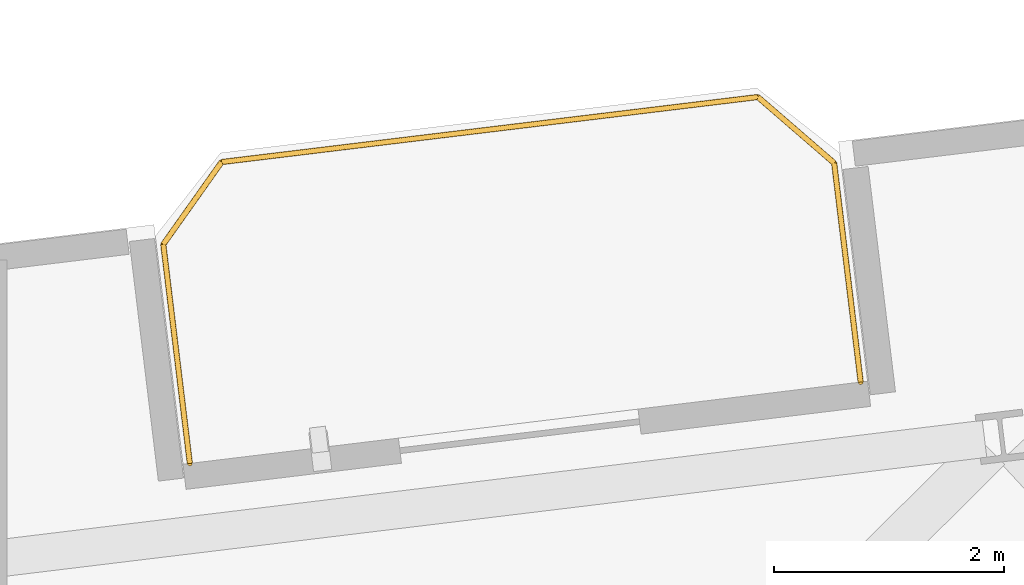
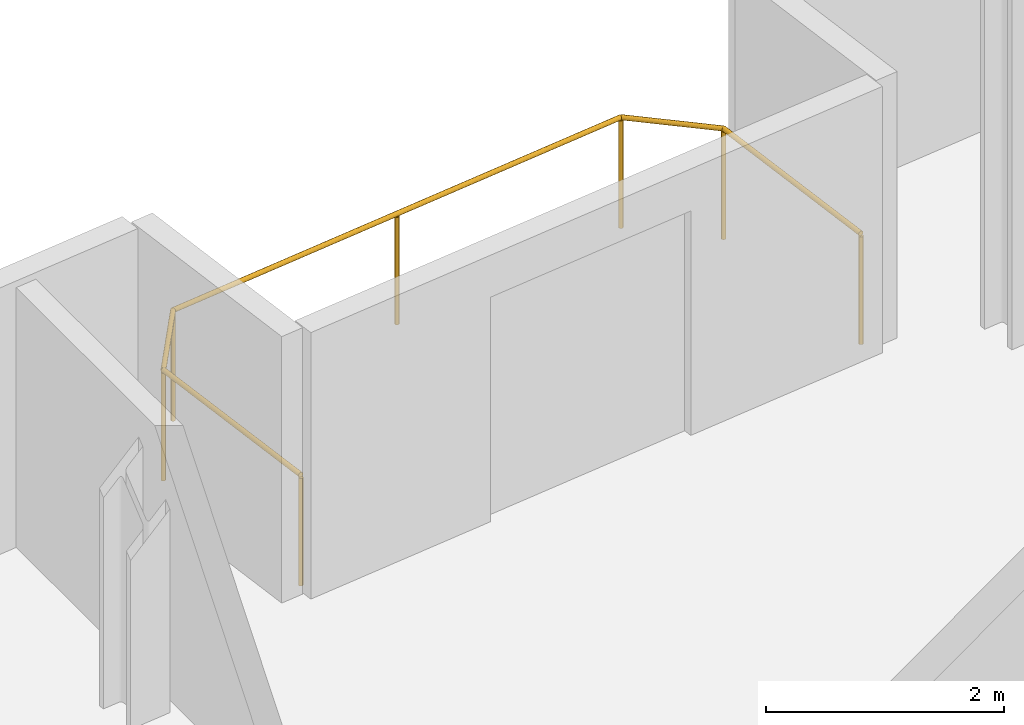
# One storey, part 23 of 23: 1 railing.
"""IFC4 building model written with IfcOpenShell, lengths in metres."""

from ifc_helpers import new_model, si_unit, direction, frame, origin, origin_2d, place, context, subcontext, project, spatial, circle, extrude, material, type_object, element, save


model = new_model("IFC4")

# Units and contexts
model_context = context("Model", 3, precision=1e-05, world=origin(), true_north=direction((0.0, 1.0)))
body_context = subcontext(model_context, "Body", "Model", "MODEL_VIEW")
ifc_project = project(units=[si_unit("LENGTHUNIT", "METRE"), si_unit("AREAUNIT", "SQUARE_METRE"), si_unit("VOLUMEUNIT", "CUBIC_METRE"), si_unit("PLANEANGLEUNIT", "RADIAN"), si_unit("MASSUNIT", "GRAM", prefix="KILO")], contexts=[model_context])

# Site, building, storey
site_placement = place(None, origin())
site = spatial("IfcSite", under=ifc_project, at=site_placement, CompositionType="ELEMENT")
building_placement = place(site_placement, origin())
building = spatial("IfcBuilding", under=site, at=building_placement, Name="Varnelok Gate Tower", CompositionType="ELEMENT")
storey_placement = place(building_placement, frame((0.0, 0.0, 174.60009765625)))
storey = spatial("IfcBuildingStorey", under=building, at=storey_placement, Name="L44", CompositionType="ELEMENT", Elevation=174.60009765625)

# Railing
ifc_material = material(Name="Low-E Laminated Double Glazing IGU", Category="glass")
railing_type = type_object("IfcRailingType", Name="RL-BALC-1150", PredefinedType="BALUSTRADE", material=ifc_material)
railing_placement = place(storey_placement, frame((48.19384765625, 46.335205078125, 0.0)))
element("IfcRailing", 1, at=railing_placement, inside=storey, type_object=railing_type, Name="L44 North Terrace Balustrade 6", PredefinedType="BALUSTRADE", context=body_context, shape_type="SweptSolid", body=[
    extrude(circle(Radius=0.02392578125, at=origin_2d()), frame((0.0, 0.0, 1.1259765625), z_axis=(-0.120293392036, 0.992738384386, 0.0), x_axis=(-0.992738384386, -0.120293392036, 0.0)), (0.0, 0.0, 1.0), 1.919921875),
    extrude(circle(Radius=0.02392578125, at=origin_2d()), frame((-0.23095703125, 1.906005859375, 1.1259765625), z_axis=(0.577971037086, 0.816057277579, 0.0), x_axis=(-0.816057277579, 0.577971037086, 0.0)), (0.0, 0.0, 1.0), 0.877685546875),
    extrude(circle(Radius=0.02392578125, at=origin_2d()), frame((0.2763671875, 2.622314453125, 1.1259765625), z_axis=(0.99273133746, 0.120351533534, 0.0), x_axis=(-0.120351533534, 0.99273133746, 0.0)), (0.0, 0.0, 1.0), 4.7001953125),
    extrude(circle(Radius=0.02392578125, at=origin_2d()), frame((4.9423828125, 3.18798828125, 1.1259765625), z_axis=(0.756303655992, -0.654220742513, 0.0), x_axis=(0.654220742513, 0.756303655992, 0.0)), (0.0, 0.0, 1.0), 0.877685546875),
    extrude(circle(Radius=0.02392578125, at=origin_2d()), frame((5.606201171875, 2.61376953125, 1.1259765625), z_axis=(0.120293392036, -0.992738384386, 0.0), x_axis=(0.992738384386, 0.120293392036, 0.0)), (0.0, 0.0, 1.0), 1.919921875),
    extrude(circle(Radius=0.02099609375, at=origin_2d()), origin(), (0.0, 0.0, 1.0), 1.101806640625),
    extrude(circle(Radius=0.02099609375, at=origin_2d()), frame((-0.23095703125, 1.906005859375, 0.0)), (0.0, 0.0, 1.0), 1.101806640625),
    extrude(circle(Radius=0.02099609375, at=origin_2d()), frame((0.2763671875, 2.622314453125, 0.0)), (0.0, 0.0, 1.0), 1.101806640625),
    extrude(circle(Radius=0.02099609375, at=origin_2d()), frame((2.609375, 2.9052734375, 0.0)), (0.0, 0.0, 1.0), 1.101806640625),
    extrude(circle(Radius=0.02099609375, at=origin_2d()), frame((4.9423828125, 3.18798828125, 0.0)), (0.0, 0.0, 1.0), 1.101806640625),
    extrude(circle(Radius=0.02099609375, at=origin_2d()), frame((5.606201171875, 2.61376953125, 0.0)), (0.0, 0.0, 1.0), 1.101806640625),
    extrude(circle(Radius=0.02099609375, at=origin_2d()), frame((5.837158203125, 0.707763671875, 0.0)), (0.0, 0.0, 1.0), 1.101806640625),
])

save(model, "model.ifc")
